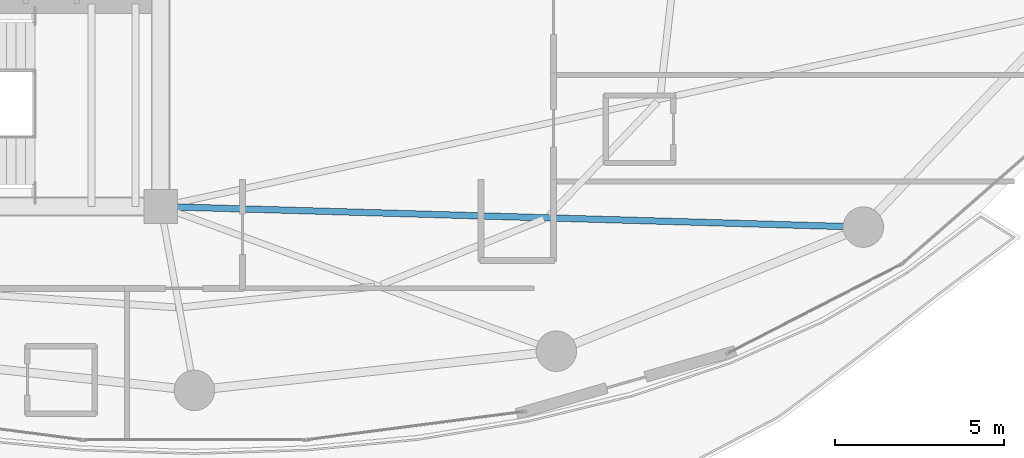
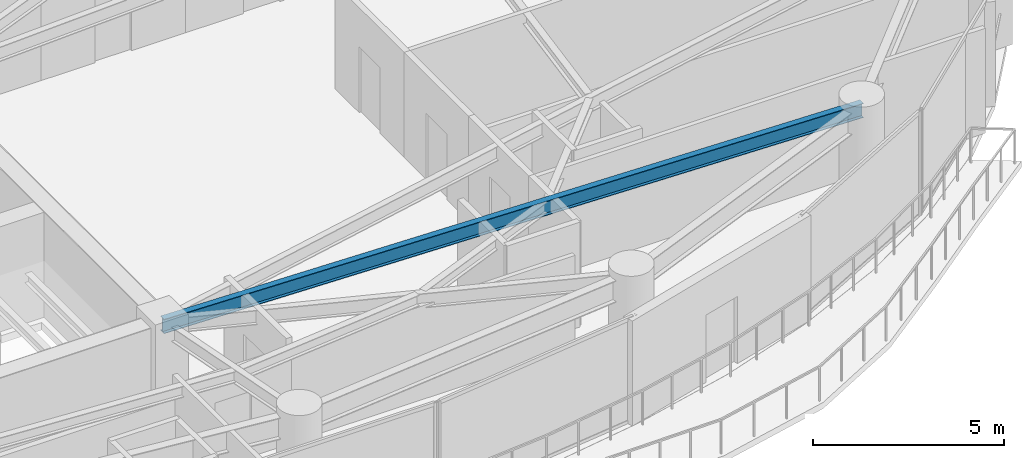
# One storey, part 10 of 28: 1 beam.
"""IFC4 building model written with IfcOpenShell, lengths in metres."""

from ifc_helpers import new_model, si_unit, direction, frame, origin, origin_2d, place, context, subcontext, project, spatial, i_section, extrude, material, material_profile, profile_set, type_object, element, save


model = new_model("IFC4")

# Units and contexts
model_context = context("Model", 3, precision=1e-05, world=origin(), true_north=direction((0.0, 1.0)))
body_context = subcontext(model_context, "Body", "Model", "MODEL_VIEW")
ifc_project = project(units=[si_unit("LENGTHUNIT", "METRE"), si_unit("AREAUNIT", "SQUARE_METRE"), si_unit("VOLUMEUNIT", "CUBIC_METRE"), si_unit("PLANEANGLEUNIT", "RADIAN"), si_unit("MASSUNIT", "GRAM", prefix="KILO")], contexts=[model_context])

# Site, building, storey
site_placement = place(None, origin())
site = spatial("IfcSite", under=ifc_project, at=site_placement, CompositionType="ELEMENT")
building_placement = place(site_placement, origin())
building = spatial("IfcBuilding", under=site, at=building_placement, Name="Kazevale Care Tower and Concert Hall", CompositionType="ELEMENT")
storey_placement = place(building_placement, frame((0.0, 0.0, 120.60009765625)))
storey = spatial("IfcBuildingStorey", under=building, at=storey_placement, Name="L31", CompositionType="ELEMENT", Elevation=120.60009765625)

# Beam
ifc_material = material(Name="Steel ASTM A572 Gr 50", Category="steel")
ifc_material_profile = material_profile(ifc_material, i_section(OverallWidth=0.19091796875, OverallDepth=0.4599609375, WebThickness=0.010009765625, FlangeThickness=0.01611328125, at=origin_2d()), Name="W460x82")
ifc_profile_set = profile_set([ifc_material_profile], Name="Steel ASTM A572 Gr 50")
beam_type = type_object("IfcBeamType", Name="Radial Floor Beam W460x82", PredefinedType="BEAM", material=ifc_profile_set)
beam_placement = place(storey_placement, frame((44.0, 23.60009765625, 3.1298828125), z_axis=(0.99957133157, -0.029277177187, 0.0), x_axis=(0.029277177187, 0.99957133157, 0.0)))
element("IfcBeam", 1, at=beam_placement, inside=storey, type_object=beam_type, Name="beam:L31:rad:15", PredefinedType="BEAM", context=body_context, shape_type="SweptSolid", body=[
    extrude(i_section(OverallWidth=0.19091796875, OverallDepth=0.4599609375, WebThickness=0.010009765625, FlangeThickness=0.01611328125, at=origin_2d()), origin(), (0.0, 0.0, 1.0), 20.839111328125),
])

save(model, "model.ifc")
